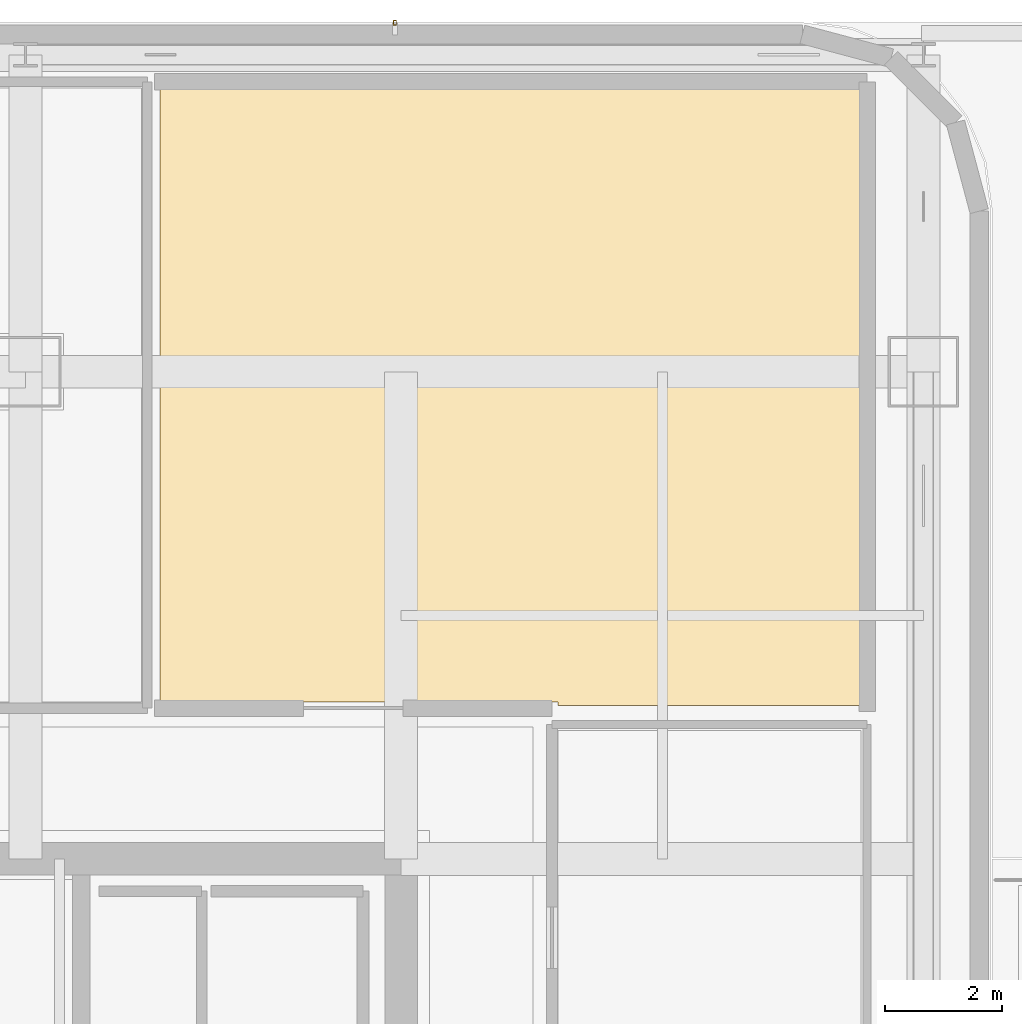
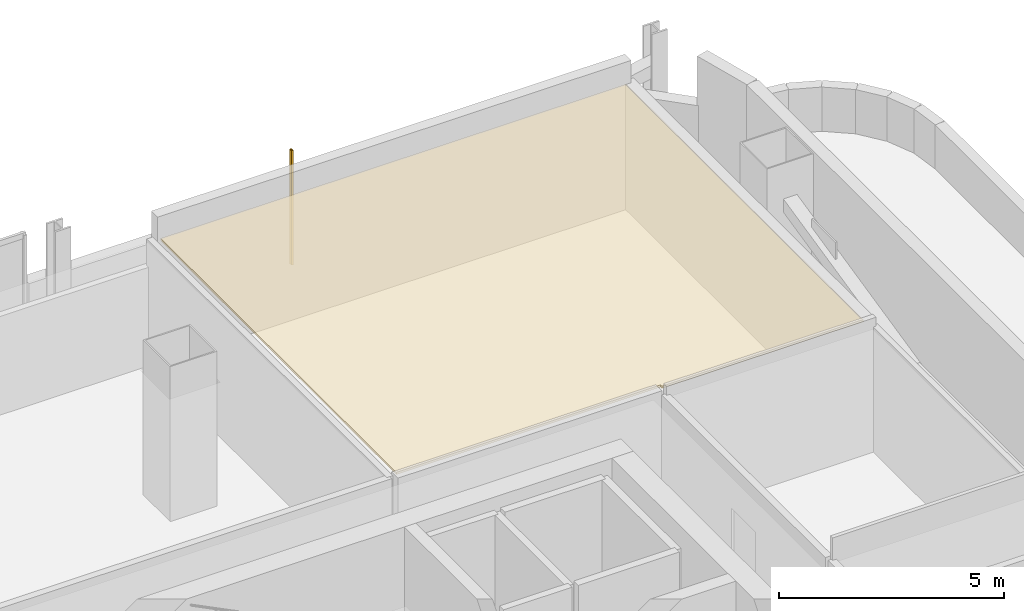
# One storey, part 31 of 31: 1 covering, 1 shading device.
"""IFC4 building model written with IfcOpenShell, lengths in metres."""

from ifc_helpers import new_model, si_unit, direction, frame, origin, origin_2d, place, context, subcontext, project, spatial, polyline, hollow_rectangle, outline, extrude, material, layer, layer_set, material_profile, profile_set, type_object, element, save


model = new_model("IFC4")

# Units and contexts
model_context = context("Model", 3, precision=1e-05, world=origin(), true_north=direction((0.0, 1.0)))
body_context = subcontext(model_context, "Body", "Model", "MODEL_VIEW")
ifc_project = project(units=[si_unit("LENGTHUNIT", "METRE"), si_unit("AREAUNIT", "SQUARE_METRE"), si_unit("VOLUMEUNIT", "CUBIC_METRE"), si_unit("PLANEANGLEUNIT", "RADIAN"), si_unit("MASSUNIT", "GRAM", prefix="KILO")], contexts=[model_context])

# Site, building, storey
site_placement = place(None, origin())
site = spatial("IfcSite", under=ifc_project, at=site_placement, CompositionType="ELEMENT")
building_placement = place(site_placement, origin())
building = spatial("IfcBuilding", under=site, at=building_placement, Name="Punatoya Terracotta Tower", CompositionType="ELEMENT")
storey_placement = place(building_placement, frame((0.0, 0.0, 283.800048828125)))
storey = spatial("IfcBuildingStorey", under=building, at=storey_placement, Name="L67", CompositionType="ELEMENT", Elevation=283.800048828125)

# Covering
ifc_material_1 = material(Name="Acoustic Mineral Fibre Ceiling")
ifc_layer = layer(ifc_material_1, 0.06005859375)
ifc_layer_set = layer_set([ifc_layer], Name="Acoustic Mineral Fibre Ceiling")
covering_type = type_object("IfcCoveringType", Name="COV-CEIL-60", PredefinedType="CEILING", material=ifc_layer_set)
covering_placement = place(storey_placement, frame((0.0, 0.0, 3.31005859375)))
element("IfcCovering", 1, at=covering_placement, inside=storey, type_object=covering_type, Name="L67 Waterfront Club Lounge Acoustic Ceiling", PredefinedType="CEILING", context=body_context, shape_type="SweptSolid", body=[
    extrude(outline(polyline([(6.093994140625, 11.8701171875), (12.8701171875, 11.8701171875), (12.8701171875, 11.81005859375), (18.0400390625, 11.81005859375), (18.0400390625, 22.340087890625), (6.093994140625, 22.340087890625), (6.093994140625, 11.8701171875)])), origin(), (0.0, 0.0, 1.0), 0.059814453125),
])

# Shading device
ifc_material_2 = material(Name="Architectural Fired Terracotta", Category="masonry")
ifc_material_profile = material_profile(ifc_material_2, hollow_rectangle(XDim=0.06005859375, YDim=0.090087890625, WallThickness=0.013916015625, at=origin_2d()))
ifc_profile_set = profile_set([ifc_material_profile], Name="Architectural Fired Terracotta")
shading_device_type = type_object("IfcShadingDeviceType", Name="SHD-JALI-90", PredefinedType="JALOUSIE", material=ifc_profile_set)
shading_device_placement = place(storey_placement, frame((10.093505859375, 23.449951171875, 0.599853515625), z_axis=(0.0, 0.0, 1.0), x_axis=(1.0, 0.0, 0.0)))
element("IfcShadingDevice", 2, at=shading_device_placement, inside=storey, type_object=shading_device_type, Name="L67 Braced Bay Terracotta Jali Fin N1", PredefinedType="JALOUSIE", context=body_context, shape_type="SweptSolid", body=[
    extrude(hollow_rectangle(XDim=0.06005859375, YDim=0.090087890625, WallThickness=0.013916015625, at=origin_2d()), origin(), (0.0, 0.0, 1.0), 3.10009765625),
])

save(model, "model.ifc")
